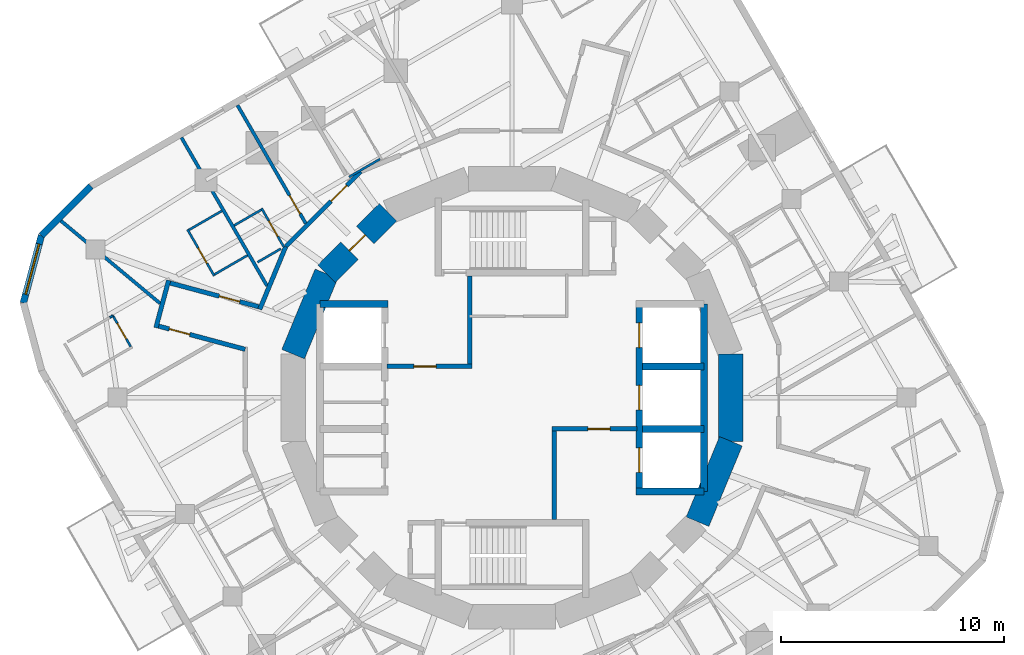
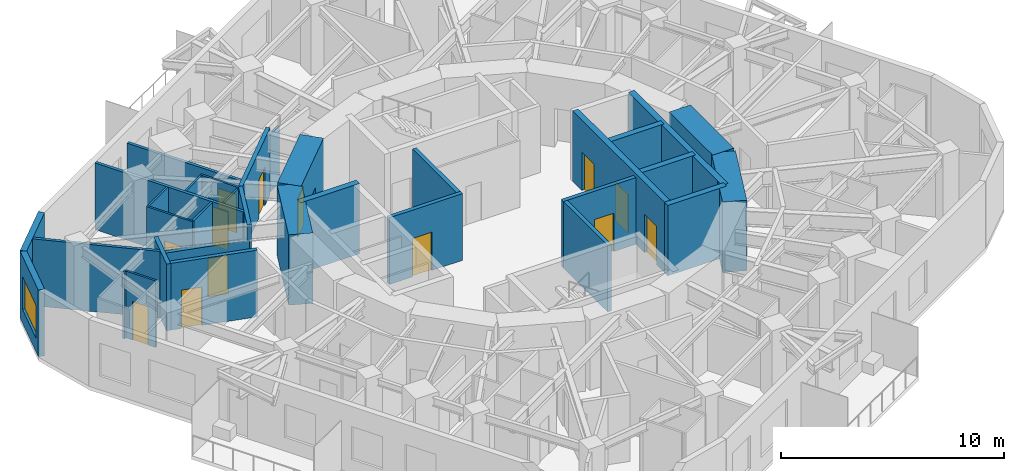
# One storey, part 6 of 11: 33 walls, 13 doors, 1 window, 14 openings.
"""IFC4 building model written with IfcOpenShell, lengths in metres."""

from ifc_helpers import new_model, si_unit, direction, frame, frame_2d, origin, place, context, subcontext, project, spatial, rectangle, extrude, material, layer, layer_set, type_object, element, fill, save


model = new_model("IFC4")

# Units and contexts
model_context = context("Model", 3, precision=1e-05, world=origin(), true_north=direction((0.0, 1.0)))
body_context = subcontext(model_context, "Body", "Model", "MODEL_VIEW")
ifc_project = project(units=[si_unit("LENGTHUNIT", "METRE"), si_unit("AREAUNIT", "SQUARE_METRE"), si_unit("VOLUMEUNIT", "CUBIC_METRE"), si_unit("PLANEANGLEUNIT", "RADIAN"), si_unit("MASSUNIT", "GRAM", prefix="KILO")], contexts=[model_context])

# Site, building, storey
site_placement = place(None, origin())
site = spatial("IfcSite", under=ifc_project, at=site_placement, CompositionType="ELEMENT")
building_placement = place(site_placement, origin())
building = spatial("IfcBuilding", under=site, at=building_placement, Name="Nakasero Lantern House", CompositionType="ELEMENT")
storey_placement = place(building_placement, frame((0.0, 0.0, 246.199951171875)))
storey = spatial("IfcBuildingStorey", under=building, at=storey_placement, Name="L60", CompositionType="ELEMENT", Elevation=246.199951171875)

# Wall, openings, doors
ifc_material_1 = material(Name="Concrete C50/60", Category="concrete")
ifc_layer_1 = layer(ifc_material_1, 0.300048828125)
ifc_layer_set_1 = layer_set([ifc_layer_1], Name="Core inner wall 300")
wall_type_1 = type_object("IfcWallType", Name="Core inner wall 300", PredefinedType="SHEAR", material=ifc_layer_set_1)
wall_1_placement = place(storey_placement, frame((5.699951171875, -4.199951171875, 0.0), z_axis=(0.0, 0.0, 1.0), x_axis=(0.0, 1.0, 0.0)))
wall_1 = element("IfcWall", 1, at=wall_1_placement, inside=storey, type_object=wall_type_1, Name="Core inner wall L60 LE", PredefinedType="SHEAR", context=body_context, shape_type="SweptSolid", body=[
    extrude(rectangle(XDim=8.39990234375, YDim=0.300048828125, at=frame_2d((4.199951171875, 0.0))), origin(), (0.0, 0.0, 1.0), 3.85009765625),
])
opening_1_placement = place(wall_1_placement, frame((0.85009765625, 0.0, 0.0)))
opening_1 = element("IfcOpeningElement", 2, at=opening_1_placement, cuts=wall_1, Name="Opening LD", PredefinedType="OPENING", context=body_context, shape_type="SweptSolid", body=[
    extrude(rectangle(XDim=1.10009765625, YDim=2.10009765625, at=frame_2d((0.550048828125, 1.050048828125))), frame((0.0, 0.169921875, 0.0), z_axis=(0.0, -1.0, 0.0), x_axis=(1.0, 0.0, 0.0)), (0.0, 0.0, 1.0), 0.340087890625),
])
opening_2_placement = place(wall_1_placement, frame((3.64990234375, 0.0, 0.0)))
opening_2 = element("IfcOpeningElement", 3, at=opening_2_placement, cuts=wall_1, Name="Opening LD", PredefinedType="OPENING", context=body_context, shape_type="SweptSolid", body=[
    extrude(rectangle(XDim=1.10009765625, YDim=2.10009765625, at=frame_2d((0.550048828125, 1.050048828125))), frame((0.0, 0.169921875, 0.0), z_axis=(0.0, -1.0, 0.0), x_axis=(1.0, 0.0, 0.0)), (0.0, 0.0, 1.0), 0.340087890625),
])
opening_3_placement = place(wall_1_placement, frame((6.449951171875, 0.0, 0.0)))
opening_3 = element("IfcOpeningElement", 4, at=opening_3_placement, cuts=wall_1, Name="Opening LD", PredefinedType="OPENING", context=body_context, shape_type="SweptSolid", body=[
    extrude(rectangle(XDim=1.10009765625, YDim=2.10009765625, at=frame_2d((0.550048828125, 1.050048828125))), frame((0.0, 0.169921875, 0.0), z_axis=(0.0, -1.0, 0.0), x_axis=(1.0, 0.0, 0.0)), (0.0, 0.0, 1.0), 0.340087890625),
])
ifc_material_2 = material(Name="Steel S355", Category="steel")
door_type_1 = type_object("IfcDoorType", Name="Lift landing door E120 1100", OperationType="SLIDING_TO_LEFT", PredefinedType="DOOR", material=ifc_material_2)
door_1_placement = place(opening_1_placement, origin())
door_1 = element("IfcDoor", 5, at=door_1_placement, inside=storey, type_object=door_type_1, Name="Lift landing door LE1", OperationType="SLIDING_TO_LEFT", OverallHeight=2.10009765625, OverallWidth=1.10009765625, PredefinedType="DOOR", context=body_context, shape_type="SweptSolid", body=[
    extrude(rectangle(XDim=1.10009765625, YDim=2.10009765625, at=frame_2d((0.550048828125, 1.050048828125))), frame((0.0, 0.02490234375, 0.0), z_axis=(0.0, -1.0, 0.0), x_axis=(1.0, 0.0, 0.0)), (0.0, 0.0, 1.0), 0.050048828125),
])
fill(opening_1, door_1)
door_2_placement = place(opening_2_placement, origin())
door_2 = element("IfcDoor", 6, at=door_2_placement, inside=storey, type_object=door_type_1, Name="Lift landing door LE2", OperationType="SLIDING_TO_LEFT", OverallHeight=2.10009765625, OverallWidth=1.10009765625, PredefinedType="DOOR", context=body_context, shape_type="SweptSolid", body=[
    extrude(rectangle(XDim=1.10009765625, YDim=2.10009765625, at=frame_2d((0.550048828125, 1.050048828125))), frame((0.0, 0.02490234375, 0.0), z_axis=(0.0, -1.0, 0.0), x_axis=(1.0, 0.0, 0.0)), (0.0, 0.0, 1.0), 0.050048828125),
])
fill(opening_2, door_2)
door_3_placement = place(opening_3_placement, origin())
door_3 = element("IfcDoor", 7, at=door_3_placement, inside=storey, type_object=door_type_1, Name="Lift landing door LE3", OperationType="SLIDING_TO_LEFT", OverallHeight=2.10009765625, OverallWidth=1.10009765625, PredefinedType="DOOR", context=body_context, shape_type="SweptSolid", body=[
    extrude(rectangle(XDim=1.10009765625, YDim=2.10009765625, at=frame_2d((0.550048828125, 1.050048828125))), frame((0.0, 0.02490234375, 0.0), z_axis=(0.0, -1.0, 0.0), x_axis=(1.0, 0.0, 0.0)), (0.0, 0.0, 1.0), 0.050048828125),
])
fill(opening_3, door_3)

# Walls
for number, where, z_axis, x_axis, name in (
    (8, (-8.60009765625, 4.199951171875, 0.0), (0.0, 0.0, 1.0), (1.0, 0.0, 0.0), "Core inner wall L60 LWN"),
    (9, (5.550048828125, -4.199951171875, 0.0), (0.0, 0.0, 1.0), (1.0, 0.0, 0.0), "Core inner wall L60 LES"),
):
    element("IfcWall", number, at=place(storey_placement, frame(where, z_axis=z_axis, x_axis=x_axis)), inside=storey, type_object=wall_type_1, Name=name, PredefinedType="SHEAR", context=body_context, shape_type="SweptSolid", body=[
        extrude(rectangle(XDim=3.050048828125, YDim=0.300048828125, at=frame_2d((1.52490234375, 0.0))), origin(), (0.0, 0.0, 1.0), 3.85009765625),
    ])
wall_2_placement = place(storey_placement, frame((8.60009765625, -4.199951171875, 0.0), z_axis=(0.0, 0.0, 1.0), x_axis=(0.0, 1.0, 0.0)))
element("IfcWall", 10, at=wall_2_placement, inside=storey, type_object=wall_type_1, Name="Core inner wall L60 LEB", PredefinedType="SHEAR", context=body_context, shape_type="SweptSolid", body=[
    extrude(rectangle(XDim=8.39990234375, YDim=0.300048828125, at=frame_2d((4.199951171875, 0.0))), origin(), (0.0, 0.0, 1.0), 3.85009765625),
])
for number, where, z_axis, x_axis, name in (
    (11, (5.85009765625, -1.39990234375, 0.0), (0.0, 0.0, 1.0), (1.0, 0.0, 0.0), "Core inner wall L60 LE1"),
    (12, (5.85009765625, 1.39990234375, 0.0), (0.0, 0.0, 1.0), (1.0, 0.0, 0.0), "Core inner wall L60 LE2"),
):
    element("IfcWall", number, at=place(storey_placement, frame(where, z_axis=z_axis, x_axis=x_axis)), inside=storey, type_object=wall_type_1, Name=name, PredefinedType="SHEAR", context=body_context, shape_type="SweptSolid", body=[
        extrude(rectangle(XDim=2.75, YDim=0.300048828125, at=frame_2d((1.375, 0.0))), origin(), (0.0, 0.0, 1.0), 3.85009765625),
    ])

# Wall, opening, door
ifc_material_3 = material(Name="Concrete C50/60", Category="concrete")
ifc_layer_2 = layer(ifc_material_3, 1.10009765625)
ifc_layer_set_2 = layer_set([ifc_layer_2], Name="Core wall 1100")
wall_type_2 = type_object("IfcWallType", Name="Core wall 1100", PredefinedType="SHEAR", material=ifc_layer_set_2)
wall_3_placement = place(storey_placement, frame((-5.5556640625, 8.314697265625, 0.0), z_axis=(0.0, 0.0, 1.0), x_axis=(-0.707106781187, -0.707106781187, 0.0)))
wall_3 = element("IfcWall", 13, at=wall_3_placement, inside=storey, type_object=wall_type_2, Name="Core wall L60 facet 6", PredefinedType="SHEAR", context=body_context, shape_type="SweptSolid", body=[
    extrude(rectangle(XDim=3.90185546875, YDim=1.10009765625, at=frame_2d((1.950927734375, 0.0))), origin(), (0.0, 0.0, 1.0), 3.85009765625),
])
opening_4_placement = place(wall_3_placement, frame((1.450927734375, 0.0, 0.0)))
opening_4 = element("IfcOpeningElement", 14, at=opening_4_placement, cuts=wall_3, Name="Opening D05", PredefinedType="OPENING", context=body_context, shape_type="SweptSolid", body=[
    extrude(rectangle(XDim=1.0, YDim=2.10009765625, at=frame_2d((0.5, 1.050048828125))), frame((0.0, 0.570068359375, 0.0), z_axis=(0.0, -1.0, 0.0), x_axis=(1.0, 0.0, 0.0)), (0.0, 0.0, 1.0), 1.14013671875),
])
ifc_material_4 = material(Name="Timber C24", Category="wood")
door_type_2 = type_object("IfcDoorType", Name="Core door FD60S 1000", OperationType="SINGLE_SWING_LEFT", PredefinedType="DOOR", material=ifc_material_4)
door_4_placement = place(opening_4_placement, origin())
door_4 = element("IfcDoor", 15, at=door_4_placement, inside=storey, type_object=door_type_2, Name="Door L60 D-CORE06", OperationType="SINGLE_SWING_LEFT", OverallHeight=2.10009765625, OverallWidth=1.0, PredefinedType="DOOR", context=body_context, shape_type="SweptSolid", body=[
    extrude(rectangle(XDim=1.0, YDim=2.10009765625, at=frame_2d((0.5, 1.050048828125))), frame((0.0, 0.02490234375, 0.0), z_axis=(0.0, -1.0, 0.0), x_axis=(1.0, 0.0, 0.0)), (0.0, 0.0, 1.0), 0.050048828125),
])
fill(opening_4, door_4)

# Walls
for number, where, z_axis, x_axis, name in (
    (16, (-8.314697265625, 5.5556640625, 0.0), (0.0, 0.0, 1.0), (-0.382690736062, -0.923876507187, 0.0), "Core wall L60 facet 7"),
    (17, (8.314697265625, -5.5556640625, 0.0), (0.0, 0.0, 1.0), (0.382690736062, 0.923876507187, 0.0), "Core wall L60 facet 15"),
    (18, (9.807861328125, -1.950927734375, 0.0), (0.0, 0.0, 1.0), (0.0, 1.0, 0.0), "Core wall L60 facet 16"),
):
    element("IfcWall", number, at=place(storey_placement, frame(where, z_axis=z_axis, x_axis=x_axis)), inside=storey, type_object=wall_type_2, Name=name, PredefinedType="SHEAR", context=body_context, shape_type="SweptSolid", body=[
        extrude(rectangle(XDim=3.90185546875, YDim=1.10009765625, at=frame_2d((1.950927734375, 0.0))), origin(), (0.0, 0.0, 1.0), 3.85009765625),
    ])
ifc_material_5 = material(Name="Blockwork", Category="masonry")
ifc_layer_3 = layer(ifc_material_5, 0.199951171875)
ifc_layer_set_3 = layer_set([ifc_layer_3], Name="Corridor wall 200")
wall_type_3 = type_object("IfcWallType", Name="Corridor wall 200", PredefinedType="PARTITIONING", material=ifc_layer_set_3)
wall_4_placement = place(storey_placement, frame((-11.302734375, 3.960205078125, 0.0), z_axis=(0.0, 0.0, 1.0), x_axis=(0.382656259044, 0.923890787601, 0.0)))
element("IfcWall", 19, at=wall_4_placement, inside=storey, type_object=wall_type_3, Name="Corridor wall L60 RC09a", PredefinedType="PARTITIONING", context=body_context, shape_type="SweptSolid", body=[
    extrude(rectangle(XDim=3.045166015625, YDim=0.199951171875, at=frame_2d((1.5224609375, 0.0))), origin(), (0.0, 0.0, 1.0), 3.650146484375),
])

# Wall, opening, door
wall_5_placement = place(storey_placement, frame((-10.137451171875, 6.773681640625, 0.0), z_axis=(0.0, 0.0, 1.0), x_axis=(0.707106781187, 0.707106781187, 0.0)))
wall_5 = element("IfcWall", 20, at=wall_5_placement, inside=storey, type_object=wall_type_3, Name="Corridor wall L60 RC10a", PredefinedType="PARTITIONING", context=body_context, shape_type="SweptSolid", body=[
    extrude(rectangle(XDim=4.757080078125, YDim=0.199951171875, at=frame_2d((2.37841796875, 0.0))), origin(), (0.0, 0.0, 1.0), 3.650146484375),
])
opening_5_placement = place(wall_5_placement, frame((2.8701171875, 0.0, 0.0)))
opening_5 = element("IfcOpeningElement", 21, at=opening_5_placement, cuts=wall_5, Name="Opening D14", PredefinedType="OPENING", context=body_context, shape_type="SweptSolid", body=[
    extrude(rectangle(XDim=1.0, YDim=2.10009765625, at=frame_2d((0.5, 1.050048828125))), frame((0.0, 0.119873046875, 0.0), z_axis=(0.0, -1.0, 0.0), x_axis=(1.0, 0.0, 0.0)), (0.0, 0.0, 1.0), 0.239990234375),
])
ifc_material_6 = material(Name="Timber C24", Category="wood")
door_type_3 = type_object("IfcDoorType", Name="Cluster entrance door FD30S 1000", OperationType="SINGLE_SWING_LEFT", PredefinedType="DOOR", material=ifc_material_6)
door_5_placement = place(opening_5_placement, origin())
door_5 = element("IfcDoor", 22, at=door_5_placement, inside=storey, type_object=door_type_3, Name="Door L60 D1-04", OperationType="SINGLE_SWING_RIGHT", OverallHeight=2.10009765625, OverallWidth=1.0, PredefinedType="DOOR", context=body_context, shape_type="SweptSolid", body=[
    extrude(rectangle(XDim=1.0, YDim=2.10009765625, at=frame_2d((0.5, 1.050048828125))), frame((0.0, 0.02490234375, 0.0), z_axis=(0.0, -1.0, 0.0), x_axis=(1.0, 0.0, 0.0)), (0.0, 0.0, 1.0), 0.050048828125),
])
fill(opening_5, door_5)

wall_6_placement = place(storey_placement, frame((-11.26416015625, 4.053466796875, 0.0), z_axis=(0.0, 0.0, 1.0), x_axis=(-0.965919779438, 0.258841611204, 0.0)))
wall_6 = element("IfcWall", 23, at=wall_6_placement, inside=storey, type_object=wall_type_3, Name="Corridor wall L60 SP1a", PredefinedType="PARTITIONING", context=body_context, shape_type="SweptSolid", body=[
    extrude(rectangle(XDim=4.394287109375, YDim=0.199951171875, at=frame_2d((2.197265625, 0.0))), origin(), (0.0, 0.0, 1.0), 2.809326171875),
])
opening_6_placement = place(wall_6_placement, frame((0.969970703125, 0.0, 0.0)))
opening_6 = element("IfcOpeningElement", 24, at=opening_6_placement, cuts=wall_6, Name="Opening D01", PredefinedType="OPENING", context=body_context, shape_type="SweptSolid", body=[
    extrude(rectangle(XDim=0.949951171875, YDim=2.10009765625, at=frame_2d((0.47509765625, 1.050048828125))), frame((0.0, 0.119873046875, 0.0), z_axis=(0.0, -1.0, 0.0), x_axis=(1.0, 0.0, 0.0)), (0.0, 0.0, 1.0), 0.239990234375),
])
ifc_material_7 = material(Name="Timber C24", Category="wood")
door_type_4 = type_object("IfcDoorType", Name="Bedroom door FD30S 950", OperationType="SINGLE_SWING_LEFT", PredefinedType="DOOR", material=ifc_material_7)
door_6_placement = place(opening_6_placement, origin())
door_6 = element("IfcDoor", 25, at=door_6_placement, inside=storey, type_object=door_type_4, Name="Door L60 D1-06", OperationType="SINGLE_SWING_LEFT", OverallHeight=2.10009765625, OverallWidth=0.949951171875, PredefinedType="DOOR", context=body_context, shape_type="SweptSolid", body=[
    extrude(rectangle(XDim=0.949951171875, YDim=2.10009765625, at=frame_2d((0.47509765625, 1.050048828125))), frame((0.0, 0.02490234375, 0.0), z_axis=(0.0, -1.0, 0.0), x_axis=(1.0, 0.0, 0.0)), (0.0, 0.0, 1.0), 0.050048828125),
])
fill(opening_6, door_6)

wall_7_placement = place(storey_placement, frame((-11.957763671875, 2.168701171875, 0.0), z_axis=(0.0, 0.0, 1.0), x_axis=(-0.965916744568, 0.258852936168, 0.0)))
wall_7 = element("IfcWall", 26, at=wall_7_placement, inside=storey, type_object=wall_type_3, Name="Corridor wall L60 SP1b", PredefinedType="PARTITIONING", context=body_context, shape_type="SweptSolid", body=[
    extrude(rectangle(XDim=4.212158203125, YDim=0.199951171875, at=frame_2d((2.10595703125, 0.0))), origin(), (0.0, 0.0, 1.0), 3.650146484375),
])
opening_7_placement = place(wall_7_placement, frame((2.570068359375, 0.0, 0.0)))
opening_7 = element("IfcOpeningElement", 27, at=opening_7_placement, cuts=wall_7, Name="Opening D01", PredefinedType="OPENING", context=body_context, shape_type="SweptSolid", body=[
    extrude(rectangle(XDim=0.949951171875, YDim=2.10009765625, at=frame_2d((0.47509765625, 1.050048828125))), frame((0.0, 0.119873046875, 0.0), z_axis=(0.0, -1.0, 0.0), x_axis=(1.0, 0.0, 0.0)), (0.0, 0.0, 1.0), 0.239990234375),
])
door_7_placement = place(opening_7_placement, origin())
door_7 = element("IfcDoor", 28, at=door_7_placement, inside=storey, type_object=door_type_4, Name="Door L60 D2-00", OperationType="SINGLE_SWING_RIGHT", OverallHeight=2.10009765625, OverallWidth=0.949951171875, PredefinedType="DOOR", context=body_context, shape_type="SweptSolid", body=[
    extrude(rectangle(XDim=0.949951171875, YDim=2.10009765625, at=frame_2d((0.47509765625, 1.050048828125))), frame((0.0, 0.02490234375, 0.0), z_axis=(0.0, -1.0, 0.0), x_axis=(1.0, 0.0, 0.0)), (0.0, 0.0, 1.0), 0.050048828125),
])
fill(opening_7, door_7)

# Walls
wall_8_placement = place(storey_placement, frame((-15.38623046875, 5.261474609375, 0.0), z_axis=(0.0, 0.0, 1.0), x_axis=(-0.258898792763, -0.965904454439, 0.0)))
element("IfcWall", 29, at=wall_8_placement, inside=storey, type_object=wall_type_3, Name="Corridor wall L60 SP1e", PredefinedType="PARTITIONING", context=body_context, shape_type="SweptSolid", body=[
    extrude(rectangle(XDim=2.199951171875, YDim=0.199951171875, at=frame_2d((1.10009765625, 0.0))), origin(), (0.0, 0.0, 1.0), 3.650146484375),
])
ifc_material_8 = material(Name="Blockwork", Category="masonry")
ifc_layer_4 = layer(ifc_material_8, 0.10009765625)
ifc_layer_set_4 = layer_set([ifc_layer_4], Name="En-suite wall 100")
wall_type_4 = type_object("IfcWallType", Name="En-suite wall 100", PredefinedType="PARTITIONING", material=ifc_layer_set_4)
wall_9_placement = place(storey_placement, frame((-5.914794921875, 10.69287109375, 0.0), z_axis=(0.0, 0.0, 1.0), x_axis=(-0.866094119867, -0.499880961361, 0.0)))
element("IfcWall", 30, at=wall_9_placement, inside=storey, type_object=wall_type_4, Name="En-suite wall L60 EI1-03", PredefinedType="PARTITIONING", context=body_context, shape_type="SweptSolid", body=[
    extrude(rectangle(XDim=1.60009765625, YDim=0.10009765625, at=frame_2d((0.800048828125, 0.0))), origin(), (0.0, 0.0, 1.0), 3.11328125),
])

# Wall, opening, door
wall_10_placement = place(storey_placement, frame((-10.220703125, 6.754150390625, 0.0), z_axis=(0.0, 0.0, 1.0), x_axis=(-0.50002537861, 0.866010750942, 0.0)))
wall_10 = element("IfcWall", 31, at=wall_10_placement, inside=storey, type_object=wall_type_4, Name="En-suite wall L60 ES1-05", PredefinedType="PARTITIONING", context=body_context, shape_type="SweptSolid", body=[
    extrude(rectangle(XDim=2.0, YDim=0.10009765625, at=frame_2d((1.0, 0.0))), origin(), (0.0, 0.0, 1.0), 3.650146484375),
])
opening_8_placement = place(wall_10_placement, frame((0.550048828125, 0.0, 0.0)))
opening_8 = element("IfcOpeningElement", 32, at=opening_8_placement, cuts=wall_10, Name="Opening D02", PredefinedType="OPENING", context=body_context, shape_type="SweptSolid", body=[
    extrude(rectangle(XDim=0.800048828125, YDim=2.10009765625, at=frame_2d((0.39990234375, 1.050048828125))), frame((0.0, 0.070068359375, 0.0), z_axis=(0.0, -1.0, 0.0), x_axis=(1.0, 0.0, 0.0)), (0.0, 0.0, 1.0), 0.14013671875),
])
ifc_material_9 = material(Name="Timber C24", Category="wood")
door_type_5 = type_object("IfcDoorType", Name="En-suite door 800", OperationType="SINGLE_SWING_RIGHT", PredefinedType="DOOR", material=ifc_material_9)
door_8_placement = place(opening_8_placement, origin())
door_8 = element("IfcDoor", 33, at=door_8_placement, inside=storey, type_object=door_type_5, Name="Door L60 DE1-05", OperationType="SINGLE_SWING_LEFT", OverallHeight=2.10009765625, OverallWidth=0.800048828125, PredefinedType="DOOR", context=body_context, shape_type="SweptSolid", body=[
    extrude(rectangle(XDim=0.800048828125, YDim=2.10009765625, at=frame_2d((0.39990234375, 1.050048828125))), frame((0.0, 0.02490234375, 0.0), z_axis=(0.0, -1.0, 0.0), x_axis=(1.0, 0.0, 0.0)), (0.0, 0.0, 1.0), 0.050048828125),
])
fill(opening_8, door_8)

# Wall
wall_11_placement = place(storey_placement, frame((-11.239013671875, 8.417724609375, 0.0), z_axis=(0.0, 0.0, 1.0), x_axis=(-0.866034573852, -0.49998411664, 0.0)))
element("IfcWall", 34, at=wall_11_placement, inside=storey, type_object=wall_type_4, Name="En-suite wall L60 EE1-05", PredefinedType="PARTITIONING", context=body_context, shape_type="SweptSolid", body=[
    extrude(rectangle(XDim=1.39990234375, YDim=0.10009765625, at=frame_2d((0.699951171875, 0.0))), origin(), (0.0, 0.0, 1.0), 3.650146484375),
])

# Wall, opening, door
wall_12_placement = place(storey_placement, frame((-13.342041015625, 5.46044921875, 0.0), z_axis=(0.0, 0.0, 1.0), x_axis=(-0.500033551112, 0.866006032174, 0.0)))
wall_12 = element("IfcWall", 35, at=wall_12_placement, inside=storey, type_object=wall_type_4, Name="En-suite wall L60 ES1-06", PredefinedType="PARTITIONING", context=body_context, shape_type="SweptSolid", body=[
    extrude(rectangle(XDim=2.400146484375, YDim=0.10009765625, at=frame_2d((1.2001953125, 0.0))), origin(), (0.0, 0.0, 1.0), 3.650146484375),
])
opening_9_placement = place(wall_12_placement, frame((0.64990234375, 0.0, 0.0)))
opening_9 = element("IfcOpeningElement", 36, at=opening_9_placement, cuts=wall_12, Name="Opening D02", PredefinedType="OPENING", context=body_context, shape_type="SweptSolid", body=[
    extrude(rectangle(XDim=0.800048828125, YDim=2.10009765625, at=frame_2d((0.39990234375, 1.050048828125))), frame((0.0, 0.070068359375, 0.0), z_axis=(0.0, -1.0, 0.0), x_axis=(1.0, 0.0, 0.0)), (0.0, 0.0, 1.0), 0.14013671875),
])
door_9_placement = place(opening_9_placement, origin())
door_9 = element("IfcDoor", 37, at=door_9_placement, inside=storey, type_object=door_type_5, Name="Door L60 DE1-06", OperationType="SINGLE_SWING_LEFT", OverallHeight=2.10009765625, OverallWidth=0.800048828125, PredefinedType="DOOR", context=body_context, shape_type="SweptSolid", body=[
    extrude(rectangle(XDim=0.800048828125, YDim=2.10009765625, at=frame_2d((0.39990234375, 1.050048828125))), frame((0.0, 0.02490234375, 0.0), z_axis=(0.0, -1.0, 0.0), x_axis=(1.0, 0.0, 0.0)), (0.0, 0.0, 1.0), 0.050048828125),
])
fill(opening_9, door_9)

# Walls
for number, where, z_axis, x_axis, name in (
    (38, (-13.001708984375, 8.37060546875, 0.0), (0.0, 0.0, 1.0), (-0.86605165483, -0.499954529098, 0.0), "En-suite wall L60 EE1-06"),
    (39, (-11.8515625, 6.37890625, 0.0), (0.0, 0.0, 1.0), (-0.865989465428, -0.500062241894, 0.0), "En-suite wall L60 EI1-06"),
):
    element("IfcWall", number, at=place(storey_placement, frame(where, z_axis=z_axis, x_axis=x_axis)), inside=storey, type_object=wall_type_4, Name=name, PredefinedType="PARTITIONING", context=body_context, shape_type="SweptSolid", body=[
        extrude(rectangle(XDim=1.699951171875, YDim=0.10009765625, at=frame_2d((0.85009765625, 0.0))), origin(), (0.0, 0.0, 1.0), 3.650146484375),
    ])

# Wall, opening, door
wall_13_placement = place(storey_placement, frame((-17.8837890625, 3.675537109375, 0.0), z_axis=(0.0, 0.0, 1.0), x_axis=(0.500061482766, -0.865989903783, 0.0)))
wall_13 = element("IfcWall", 40, at=wall_13_placement, inside=storey, type_object=wall_type_4, Name="En-suite wall L60 EI2-00", PredefinedType="PARTITIONING", context=body_context, shape_type="SweptSolid", body=[
    extrude(rectangle(XDim=1.599853515625, YDim=0.10009765625, at=frame_2d((0.7998046875, 0.0))), origin(), (0.0, 0.0, 1.0), 3.650146484375),
])
opening_10_placement = place(wall_13_placement, frame((0.39990234375, 0.0, 0.0)))
opening_10 = element("IfcOpeningElement", 41, at=opening_10_placement, cuts=wall_13, Name="Opening D02", PredefinedType="OPENING", context=body_context, shape_type="SweptSolid", body=[
    extrude(rectangle(XDim=0.800048828125, YDim=2.10009765625, at=frame_2d((0.39990234375, 1.050048828125))), frame((0.0, 0.070068359375, 0.0), z_axis=(0.0, -1.0, 0.0), x_axis=(1.0, 0.0, 0.0)), (0.0, 0.0, 1.0), 0.14013671875),
])
door_10_placement = place(opening_10_placement, origin())
door_10 = element("IfcDoor", 42, at=door_10_placement, inside=storey, type_object=door_type_5, Name="Door L60 DE2-00", OperationType="SINGLE_SWING_LEFT", OverallHeight=2.10009765625, OverallWidth=0.800048828125, PredefinedType="DOOR", context=body_context, shape_type="SweptSolid", body=[
    extrude(rectangle(XDim=0.800048828125, YDim=2.10009765625, at=frame_2d((0.39990234375, 1.050048828125))), frame((0.0, 0.02490234375, 0.0), z_axis=(0.0, -1.0, 0.0), x_axis=(1.0, 0.0, 0.0)), (0.0, 0.0, 1.0), 0.050048828125),
])
fill(opening_10, door_10)

# Walls
wall_14_placement = place(storey_placement, frame((-11.40283203125, 6.071533203125, 0.0), z_axis=(0.0, 0.0, 1.0), x_axis=(0.86598987286, 0.500061536317, 0.0)))
element("IfcWall", 43, at=wall_14_placement, inside=storey, type_object=wall_type_4, Name="En-suite wall L60 EX002", PredefinedType="PARTITIONING", context=body_context, shape_type="SweptSolid", body=[
    extrude(rectangle(XDim=1.204833984375, YDim=0.10009765625, at=frame_2d((0.6025390625, 0.0))), origin(), (0.0, 0.0, 1.0), 3.650146484375),
])
wall_15_placement = place(storey_placement, frame((-17.8837890625, 3.675537109375, 0.0), z_axis=(0.0, 0.0, 1.0), x_axis=(-0.865600433939, -0.500735348028, 0.0)))
element("IfcWall", 44, at=wall_15_placement, inside=storey, type_object=wall_type_4, Name="En-suite wall L60 EI2-00R0", PredefinedType="PARTITIONING", context=body_context, shape_type="SweptSolid", body=[
    extrude(rectangle(XDim=0.159912109375, YDim=0.10009765625, at=frame_2d((0.080078125, 0.0))), origin(), (0.0, 0.0, 1.0), 3.650146484375),
])
ifc_material_10 = material(Name="Aluminium rainscreen on blockwork", Category="masonry")
ifc_layer_5 = layer(ifc_material_10, 0.300048828125)
ifc_layer_set_5 = layer_set([ifc_layer_5], Name="Facade wall 300")
wall_type_5 = type_object("IfcWallType", Name="Facade wall 300", PredefinedType="SOLIDWALL", material=ifc_layer_set_5)
wall_16_placement = place(storey_placement, frame((-18.870849609375, 9.4853515625, 0.0), z_axis=(0.0, 0.0, 1.0), x_axis=(-0.707145758492, -0.707067801733, 0.0)))
element("IfcWall", 45, at=wall_16_placement, inside=storey, type_object=wall_type_5, Name="Facade wall L60 FW1C1", PredefinedType="SOLIDWALL", context=body_context, shape_type="SweptSolid", body=[
    extrude(rectangle(XDim=3.1318359375, YDim=0.300048828125, at=frame_2d((1.56591796875, 0.0))), origin(), (0.0, 0.0, 1.0), 3.650146484375),
])

# Wall, opening, window
wall_17_placement = place(storey_placement, frame((-21.08544921875, 7.27099609375, 0.0), z_axis=(0.0, 0.0, 1.0), x_axis=(-0.258807521156, -0.965928914048, 0.0)))
wall_17 = element("IfcWall", 46, at=wall_17_placement, inside=storey, type_object=wall_type_5, Name="Facade wall L60 FW1C2", PredefinedType="SOLIDWALL", context=body_context, shape_type="SweptSolid", body=[
    extrude(rectangle(XDim=3.1318359375, YDim=0.300048828125, at=frame_2d((1.56591796875, 0.0))), origin(), (0.0, 0.0, 1.0), 3.650146484375),
])
opening_11_placement = place(wall_17_placement, frame((0.39990234375, 0.0, 0.75)))
opening_11 = element("IfcOpeningElement", 47, at=opening_11_placement, cuts=wall_17, Name="Opening W223", PredefinedType="OPENING", context=body_context, shape_type="SweptSolid", body=[
    extrude(rectangle(XDim=2.33203125, YDim=1.800048828125, at=frame_2d((1.166015625, 0.89990234375))), frame((0.0, 0.169921875, 0.0), z_axis=(0.0, -1.0, 0.0), x_axis=(1.0, 0.0, 0.0)), (0.0, 0.0, 1.0), 0.340087890625),
])
ifc_material_11 = material(Name="Aluminium 6063-T6 and glass", Category="aluminium")
window_type = type_object("IfcWindowType", Name="Corner window 2332x1800", PartitioningType="SINGLE_PANEL", PredefinedType="WINDOW", material=ifc_material_11)
window_placement = place(opening_11_placement, origin())
window = element("IfcWindow", 48, at=window_placement, inside=storey, type_object=window_type, Name="Window L60 WC1", OverallHeight=1.800048828125, OverallWidth=2.33203125, PartitioningType="SINGLE_PANEL", PredefinedType="WINDOW", context=body_context, shape_type="SweptSolid", body=[
    extrude(rectangle(XDim=2.33203125, YDim=1.800048828125, at=frame_2d((1.166015625, 0.89990234375))), frame((0.0, 0.030029296875, 0.0), z_axis=(0.0, -1.0, 0.0), x_axis=(1.0, 0.0, 0.0)), (0.0, 0.0, 1.0), 0.06005859375),
])
fill(opening_11, window)

# Wall, opening, door
ifc_material_12 = material(Name="Blockwork", Category="masonry")
ifc_layer_6 = layer(ifc_material_12, 0.199951171875)
ifc_layer_set_6 = layer_set([ifc_layer_6], Name="Fire lobby wall 200")
wall_type_6 = type_object("IfcWallType", Name="Fire lobby wall 200", PredefinedType="PARTITIONING", material=ifc_layer_set_6)
wall_18_placement = place(storey_placement, frame((-5.60009765625, 1.39990234375, 0.0), z_axis=(0.0, 0.0, 1.0), x_axis=(1.0, 0.0, 0.0)))
wall_18 = element("IfcWall", 49, at=wall_18_placement, inside=storey, type_object=wall_type_6, Name="Fire lobby wall L60 W-FL1S", PredefinedType="PARTITIONING", context=body_context, shape_type="SweptSolid", body=[
    extrude(rectangle(XDim=3.800048828125, YDim=0.199951171875, at=frame_2d((1.89990234375, 0.0))), origin(), (0.0, 0.0, 1.0), 3.650146484375),
])
opening_12_placement = place(wall_18_placement, frame((1.199951171875, 0.0, 0.0)))
opening_12 = element("IfcOpeningElement", 50, at=opening_12_placement, cuts=wall_18, Name="Opening D05", PredefinedType="OPENING", context=body_context, shape_type="SweptSolid", body=[
    extrude(rectangle(XDim=1.0, YDim=2.10009765625, at=frame_2d((0.5, 1.050048828125))), frame((0.0, 0.119873046875, 0.0), z_axis=(0.0, -1.0, 0.0), x_axis=(1.0, 0.0, 0.0)), (0.0, 0.0, 1.0), 0.239990234375),
])
door_11_placement = place(opening_12_placement, origin())
door_11 = element("IfcDoor", 51, at=door_11_placement, inside=storey, type_object=door_type_2, Name="Door L60 D-FL1", OperationType="SINGLE_SWING_LEFT", OverallHeight=2.10009765625, OverallWidth=1.0, PredefinedType="DOOR", context=body_context, shape_type="SweptSolid", body=[
    extrude(rectangle(XDim=1.0, YDim=2.10009765625, at=frame_2d((0.5, 1.050048828125))), frame((0.0, 0.02490234375, 0.0), z_axis=(0.0, -1.0, 0.0), x_axis=(1.0, 0.0, 0.0)), (0.0, 0.0, 1.0), 0.050048828125),
])
fill(opening_12, door_11)

# Wall
wall_19_placement = place(storey_placement, frame((-1.89990234375, 1.5, 0.0), z_axis=(0.0, 0.0, 1.0), x_axis=(0.0, 1.0, 0.0)))
element("IfcWall", 52, at=wall_19_placement, inside=storey, type_object=wall_type_6, Name="Fire lobby wall L60 W-FL1E", PredefinedType="PARTITIONING", context=body_context, shape_type="SweptSolid", body=[
    extrude(rectangle(XDim=3.949951171875, YDim=0.199951171875, at=frame_2d((1.97509765625, 0.0))), origin(), (0.0, 0.0, 1.0), 3.650146484375),
])

# Wall, opening, door
wall_20_placement = place(storey_placement, frame((5.60009765625, -1.39990234375, 0.0), z_axis=(0.0, 0.0, 1.0), x_axis=(-1.0, 0.0, 0.0)))
wall_20 = element("IfcWall", 53, at=wall_20_placement, inside=storey, type_object=wall_type_6, Name="Fire lobby wall L60 W-FL2N", PredefinedType="PARTITIONING", context=body_context, shape_type="SweptSolid", body=[
    extrude(rectangle(XDim=3.800048828125, YDim=0.199951171875, at=frame_2d((1.89990234375, 0.0))), origin(), (0.0, 0.0, 1.0), 3.650146484375),
])
opening_13_placement = place(wall_20_placement, frame((1.199951171875, 0.0, 0.0)))
opening_13 = element("IfcOpeningElement", 54, at=opening_13_placement, cuts=wall_20, Name="Opening D05", PredefinedType="OPENING", context=body_context, shape_type="SweptSolid", body=[
    extrude(rectangle(XDim=1.0, YDim=2.10009765625, at=frame_2d((0.5, 1.050048828125))), frame((0.0, 0.119873046875, 0.0), z_axis=(0.0, -1.0, 0.0), x_axis=(1.0, 0.0, 0.0)), (0.0, 0.0, 1.0), 0.239990234375),
])
door_12_placement = place(opening_13_placement, origin())
door_12 = element("IfcDoor", 55, at=door_12_placement, inside=storey, type_object=door_type_2, Name="Door L60 D-FL2", OperationType="SINGLE_SWING_LEFT", OverallHeight=2.10009765625, OverallWidth=1.0, PredefinedType="DOOR", context=body_context, shape_type="SweptSolid", body=[
    extrude(rectangle(XDim=1.0, YDim=2.10009765625, at=frame_2d((0.5, 1.050048828125))), frame((0.0, 0.02490234375, 0.0), z_axis=(0.0, -1.0, 0.0), x_axis=(1.0, 0.0, 0.0)), (0.0, 0.0, 1.0), 0.050048828125),
])
fill(opening_13, door_12)

# Wall
wall_21_placement = place(storey_placement, frame((1.89990234375, -1.5, 0.0), z_axis=(0.0, 0.0, 1.0), x_axis=(0.0, -1.0, 0.0)))
element("IfcWall", 56, at=wall_21_placement, inside=storey, type_object=wall_type_6, Name="Fire lobby wall L60 W-FL2W", PredefinedType="PARTITIONING", context=body_context, shape_type="SweptSolid", body=[
    extrude(rectangle(XDim=3.949951171875, YDim=0.199951171875, at=frame_2d((1.97509765625, 0.0))), origin(), (0.0, 0.0, 1.0), 3.650146484375),
])

# Wall, opening, door
ifc_material_13 = material(Name="Blockwork", Category="masonry")
ifc_layer_7 = layer(ifc_material_13, 0.14990234375)
ifc_layer_set_7 = layer_set([ifc_layer_7], Name="Party wall 150")
wall_type_7 = type_object("IfcWallType", Name="Party wall 150", PredefinedType="PARTITIONING", material=ifc_layer_set_7)
wall_22_placement = place(storey_placement, frame((-9.24267578125, 7.8095703125, 0.0), z_axis=(0.0, 0.0, 1.0), x_axis=(-0.49998624504, 0.866033345069, 0.0)))
wall_22 = element("IfcWall", 57, at=wall_22_placement, inside=storey, type_object=wall_type_7, Name="Party wall L60 PW1-05", PredefinedType="PARTITIONING", context=body_context, shape_type="SweptSolid", body=[
    extrude(rectangle(XDim=6.115478515625, YDim=0.14990234375, at=frame_2d((3.0576171875, 0.0))), origin(), (0.0, 0.0, 1.0), 2.966552734375),
])
opening_14_placement = place(wall_22_placement, frame((0.5, 0.0, 0.0)))
opening_14 = element("IfcOpeningElement", 58, at=opening_14_placement, cuts=wall_22, Name="Opening D01", PredefinedType="OPENING", context=body_context, shape_type="SweptSolid", body=[
    extrude(rectangle(XDim=0.949951171875, YDim=2.10009765625, at=frame_2d((0.47509765625, 1.050048828125))), frame((0.0, 0.094970703125, 0.0), z_axis=(0.0, -1.0, 0.0), x_axis=(1.0, 0.0, 0.0)), (0.0, 0.0, 1.0), 0.18994140625),
])
door_13_placement = place(opening_14_placement, origin())
door_13 = element("IfcDoor", 59, at=door_13_placement, inside=storey, type_object=door_type_4, Name="Door L60 DS1-05", OperationType="SINGLE_SWING_LEFT", OverallHeight=2.10009765625, OverallWidth=0.949951171875, PredefinedType="DOOR", context=body_context, shape_type="SweptSolid", body=[
    extrude(rectangle(XDim=0.949951171875, YDim=2.10009765625, at=frame_2d((0.47509765625, 1.050048828125))), frame((0.0, 0.02490234375, 0.0), z_axis=(0.0, -1.0, 0.0), x_axis=(1.0, 0.0, 0.0)), (0.0, 0.0, 1.0), 0.050048828125),
])
fill(opening_14, door_13)

# Walls
wall_23_placement = place(storey_placement, frame((-10.9755859375, 5.011474609375, 0.0), z_axis=(0.0, 0.0, 1.0), x_axis=(-0.499985976588, 0.866033500054, 0.0)))
element("IfcWall", 60, at=wall_23_placement, inside=storey, type_object=wall_type_7, Name="Party wall L60 PW1-06", PredefinedType="PARTITIONING", context=body_context, shape_type="SweptSolid", body=[
    extrude(rectangle(XDim=7.672119140625, YDim=0.14990234375, at=frame_2d((3.8359375, 0.0))), origin(), (0.0, 0.0, 1.0), 3.650146484375),
])
wall_24_placement = place(storey_placement, frame((-15.767578125, 4.224853515625, 0.0), z_axis=(0.0, 0.0, 1.0), x_axis=(-0.768380441131, 0.639993357533, 0.0)))
element("IfcWall", 61, at=wall_24_placement, inside=storey, type_object=wall_type_7, Name="Party wall L60 PW2-00", PredefinedType="PARTITIONING", context=body_context, shape_type="SweptSolid", body=[
    extrude(rectangle(XDim=5.78271484375, YDim=0.14990234375, at=frame_2d((2.891357421875, 0.0))), origin(), (0.0, 0.0, 1.0), 3.650146484375),
])

save(model, "model.ifc")
